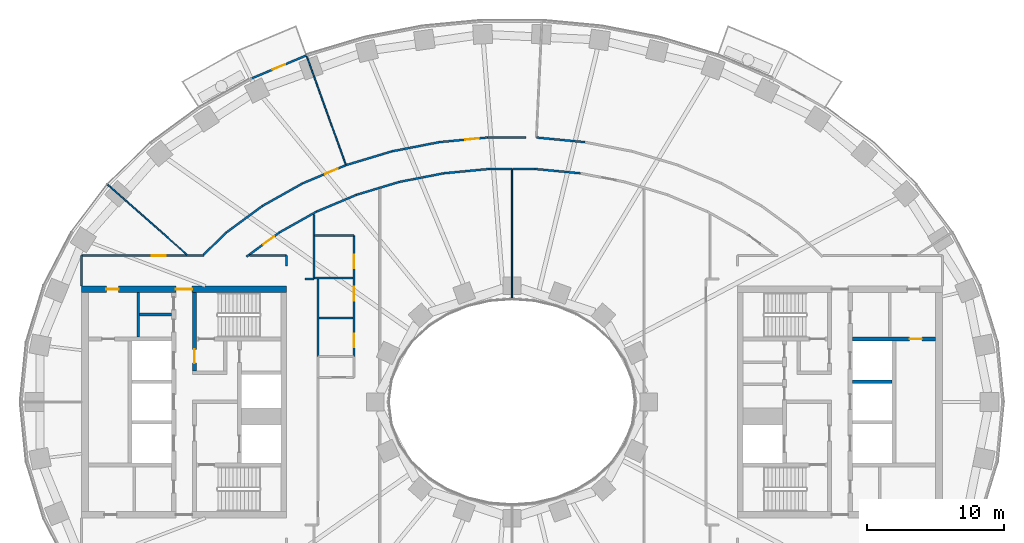
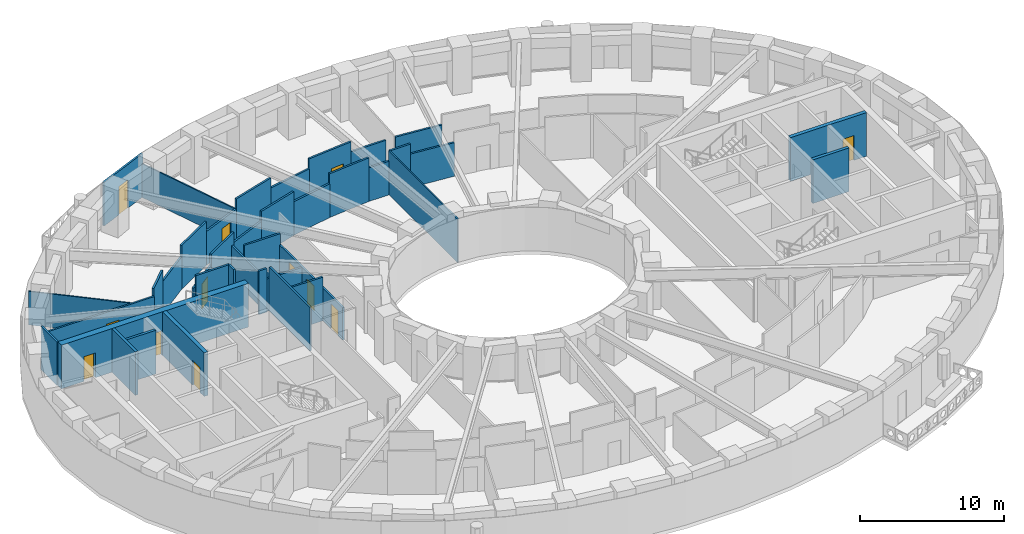
# One storey, part 6 of 16: 39 walls, 12 doors, 12 openings.
"""IFC4 building model written with IfcOpenShell, lengths in metres."""

from ifc_helpers import new_model, si_unit, direction, frame, frame_2d, origin, place, context, subcontext, project, spatial, rectangle, extrude, material, layer, layer_set, type_object, element, fill, save


model = new_model("IFC4")

# Units and contexts
model_context = context("Model", 3, precision=1e-05, world=origin(), true_north=direction((0.0, 1.0)))
body_context = subcontext(model_context, "Body", "Model", "MODEL_VIEW")
ifc_project = project(units=[si_unit("LENGTHUNIT", "METRE"), si_unit("AREAUNIT", "SQUARE_METRE"), si_unit("VOLUMEUNIT", "CUBIC_METRE"), si_unit("PLANEANGLEUNIT", "RADIAN"), si_unit("MASSUNIT", "GRAM", prefix="KILO")], contexts=[model_context])

# Site, building, storey
site_placement = place(None, origin())
site = spatial("IfcSite", under=ifc_project, at=site_placement, CompositionType="ELEMENT")
building_placement = place(site_placement, origin())
building = spatial("IfcBuilding", under=site, at=building_placement, Name="Noorbagh Ring Tower", CompositionType="ELEMENT")
storey_placement = place(building_placement, frame((0.0, 0.0, 74.5)))
storey = spatial("IfcBuildingStorey", under=building, at=storey_placement, Name="L16", CompositionType="ELEMENT", Elevation=74.5)

# Walls
ifc_material_1 = material(Name="Gypsum board on steel studs", Category="steel")
ifc_layer_1 = layer(ifc_material_1, 0.199951171875)
ifc_layer_set_1 = layer_set([ifc_layer_1], Name="Gypsum board on steel studs")
wall_type_1 = type_object("IfcWallType", Name="CORE-PARTITION-200", PredefinedType="PARTITIONING", material=ifc_layer_set_1)
wall_1_placement = place(storey_placement, frame((-27.35009765625, 4.75, 0.0), z_axis=(0.0, 0.0, 1.0), x_axis=(0.0, 1.0, 0.0)))
element("IfcWall", 1, at=wall_1_placement, inside=storey, type_object=wall_type_1, Name="Core partition W", PredefinedType="PARTITIONING", context=body_context, shape_type="SweptSolid", body=[
    extrude(rectangle(XDim=3.25, YDim=0.199951171875, at=frame_2d((1.625, 0.0))), origin(), (0.0, 0.0, 1.0), 3.699951171875),
])
wall_2_placement = place(storey_placement, frame((-24.89990234375, 6.39990234375, 0.0), z_axis=(0.0, 0.0, 1.0), x_axis=(-1.0, 0.0, 0.0)))
element("IfcWall", 2, at=wall_2_placement, inside=storey, type_object=wall_type_1, Name="Core partition W", PredefinedType="PARTITIONING", context=body_context, shape_type="SweptSolid", body=[
    extrude(rectangle(XDim=2.35009765625, YDim=0.199951171875, at=frame_2d((1.175048828125, 0.0))), origin(), (0.0, 0.0, 1.0), 3.699951171875),
])
ifc_material_2 = material(Name="Concrete C70/85", Category="concrete")
ifc_layer_2 = layer(ifc_material_2, 0.25)
ifc_layer_set_2 = layer_set([ifc_layer_2], Name="Concrete C70/85")
wall_type_2 = type_object("IfcWallType", Name="CORE-WALL-250-C70-85-EI120", PredefinedType="SHEAR", material=ifc_layer_set_2)
wall_3_placement = place(storey_placement, frame((24.89990234375, 1.47509765625, 0.0), z_axis=(0.0, 0.0, 1.0), x_axis=(1.0, 0.0, 0.0)))
element("IfcWall", 3, at=wall_3_placement, inside=storey, type_object=wall_type_2, Name="Core wall E", PredefinedType="SHEAR", context=body_context, shape_type="SweptSolid", body=[
    extrude(rectangle(XDim=2.900146484375, YDim=0.25, at=frame_2d((1.4501953125, 0.0))), origin(), (0.0, 0.0, 1.0), 3.699951171875),
])

# Wall, opening, door
ifc_material_3 = material(Name="Concrete C70/85", Category="concrete")
ifc_layer_3 = layer(ifc_material_3, 0.300048828125)
ifc_layer_set_3 = layer_set([ifc_layer_3], Name="Concrete C70/85")
wall_type_3 = type_object("IfcWallType", Name="CORE-WALL-300-C70-85-EI240", PredefinedType="SHEAR", material=ifc_layer_set_3)
wall_4_placement = place(storey_placement, frame((-23.22998046875, 2.25, 0.0), z_axis=(0.0, 0.0, 1.0), x_axis=(0.0, 1.0, 0.0)))
wall_4 = element("IfcWall", 4, at=wall_4_placement, inside=storey, type_object=wall_type_3, Name="Core wall W", PredefinedType="SHEAR", context=body_context, shape_type="SweptSolid", body=[
    extrude(rectangle(XDim=5.75, YDim=0.300048828125, at=frame_2d((2.875, 0.0))), origin(), (0.0, 0.0, 1.0), 3.699951171875),
])
opening_1_placement = place(wall_4_placement, frame((0.60009765625, 0.0, 0.0)))
opening_1 = element("IfcOpeningElement", 5, at=opening_1_placement, cuts=wall_4, Name="Opening L16-CW08", PredefinedType="OPENING", context=body_context, shape_type="SweptSolid", body=[
    extrude(rectangle(XDim=1.0, YDim=2.10009765625, at=frame_2d((0.5, 1.050048828125))), frame((0.0, 0.16015625, 0.0), z_axis=(0.0, -1.0, 0.0), x_axis=(1.0, 0.0, 0.0)), (0.0, 0.0, 1.0), 0.320068359375),
])
ifc_material_4 = material(Name="Steel door leaf", Category="steel")
door_type_1 = type_object("IfcDoorType", Name="CORE-DOOR-DVEST", OperationType="SINGLE_SWING_LEFT", PredefinedType="DOOR", material=ifc_material_4)
door_1_placement = place(opening_1_placement, origin())
door_1 = element("IfcDoor", 6, at=door_1_placement, inside=storey, type_object=door_type_1, Name="Stair vestibule door L16-CW08", OperationType="SINGLE_SWING_LEFT", OverallHeight=2.10009765625, OverallWidth=1.0, PredefinedType="DOOR", context=body_context, shape_type="SweptSolid", body=[
    extrude(rectangle(XDim=1.0, YDim=2.10009765625, at=frame_2d((0.5, 1.050048828125))), frame((0.0, 0.02490234375, 0.0), z_axis=(0.0, -1.0, 0.0), x_axis=(1.0, 0.0, 0.0)), (0.0, 0.0, 1.0), 0.050048828125),
])
fill(opening_1, door_1)

wall_5_placement = place(storey_placement, frame((24.89990234375, 4.60009765625, 0.0), z_axis=(0.0, 0.0, 1.0), x_axis=(1.0, 0.0, 0.0)))
wall_5 = element("IfcWall", 7, at=wall_5_placement, inside=storey, type_object=wall_type_3, Name="Core wall E", PredefinedType="SHEAR", context=body_context, shape_type="SweptSolid", body=[
    extrude(rectangle(XDim=6.10009765625, YDim=0.300048828125, at=frame_2d((3.050048828125, 0.0))), origin(), (0.0, 0.0, 1.0), 3.699951171875),
])
opening_2_placement = place(wall_5_placement, frame((4.199951171875, 0.0, 0.0)))
opening_2 = element("IfcOpeningElement", 8, at=opening_2_placement, cuts=wall_5, Name="Opening L16-CE18", PredefinedType="OPENING", context=body_context, shape_type="SweptSolid", body=[
    extrude(rectangle(XDim=0.89990234375, YDim=2.10009765625, at=frame_2d((0.449951171875, 1.050048828125))), frame((0.0, 0.16015625, 0.0), z_axis=(0.0, -1.0, 0.0), x_axis=(1.0, 0.0, 0.0)), (0.0, 0.0, 1.0), 0.320068359375),
])
ifc_material_5 = material(Name="Steel door leaf", Category="steel")
door_type_2 = type_object("IfcDoorType", Name="CORE-DOOR-DROOM", OperationType="SINGLE_SWING_LEFT", PredefinedType="DOOR", material=ifc_material_5)
door_2_placement = place(opening_2_placement, origin())
door_2 = element("IfcDoor", 9, at=door_2_placement, inside=storey, type_object=door_type_2, Name="Core room door L16-CE18", OperationType="SINGLE_SWING_RIGHT", OverallHeight=2.10009765625, OverallWidth=0.89990234375, PredefinedType="DOOR", context=body_context, shape_type="SweptSolid", body=[
    extrude(rectangle(XDim=0.89990234375, YDim=2.10009765625, at=frame_2d((0.449951171875, 1.050048828125))), frame((0.0, 0.02490234375, 0.0), z_axis=(0.0, -1.0, 0.0), x_axis=(1.0, 0.0, 0.0)), (0.0, 0.0, 1.0), 0.050048828125),
])
fill(opening_2, door_2)

# Wall, openings, doors
ifc_material_6 = material(Name="Concrete C70/85", Category="concrete")
ifc_layer_4 = layer(ifc_material_6, 0.5)
ifc_layer_set_4 = layer_set([ifc_layer_4], Name="Concrete C70/85")
wall_type_4 = type_object("IfcWallType", Name="CORE-WALL-500-C70-85-EI240", PredefinedType="SHEAR", material=ifc_layer_set_4)
wall_6_placement = place(storey_placement, frame((-16.5, 8.25, 0.0), z_axis=(0.0, 0.0, 1.0), x_axis=(-1.0, 0.0, 0.0)))
wall_6 = element("IfcWall", 10, at=wall_6_placement, inside=storey, type_object=wall_type_4, Name="Core wall W", PredefinedType="SHEAR", context=body_context, shape_type="SweptSolid", body=[
    extrude(rectangle(XDim=15.0, YDim=0.5, at=frame_2d((7.5, 0.0))), origin(), (0.0, 0.0, 1.0), 3.699951171875),
])
opening_3_placement = place(wall_6_placement, frame((6.89990234375, 0.0, 0.0)))
opening_3 = element("IfcOpeningElement", 11, at=opening_3_placement, cuts=wall_6, Name="Opening L16-CW09", PredefinedType="OPENING", context=body_context, shape_type="SweptSolid", body=[
    extrude(rectangle(XDim=1.199951171875, YDim=2.10009765625, at=frame_2d((0.60009765625, 1.050048828125))), frame((0.0, 0.260009765625, 0.0), z_axis=(0.0, -1.0, 0.0), x_axis=(1.0, 0.0, 0.0)), (0.0, 0.0, 1.0), 0.52001953125),
])
opening_4_placement = place(wall_6_placement, frame((12.27490234375, 0.0, 0.0)))
opening_4 = element("IfcOpeningElement", 12, at=opening_4_placement, cuts=wall_6, Name="Opening L16-CW14", PredefinedType="OPENING", context=body_context, shape_type="SweptSolid", body=[
    extrude(rectangle(XDim=0.89990234375, YDim=2.10009765625, at=frame_2d((0.449951171875, 1.050048828125))), frame((0.0, 0.260009765625, 0.0), z_axis=(0.0, -1.0, 0.0), x_axis=(1.0, 0.0, 0.0)), (0.0, 0.0, 1.0), 0.52001953125),
])
door_3_placement = place(opening_4_placement, origin())
door_3 = element("IfcDoor", 13, at=door_3_placement, inside=storey, type_object=door_type_2, Name="Core room door L16-CW14", OperationType="SINGLE_SWING_RIGHT", OverallHeight=2.10009765625, OverallWidth=0.89990234375, PredefinedType="DOOR", context=body_context, shape_type="SweptSolid", body=[
    extrude(rectangle(XDim=0.89990234375, YDim=2.10009765625, at=frame_2d((0.449951171875, 1.050048828125))), frame((0.0, 0.02490234375, 0.0), z_axis=(0.0, -1.0, 0.0), x_axis=(1.0, 0.0, 0.0)), (0.0, 0.0, 1.0), 0.050048828125),
])
fill(opening_4, door_3)
ifc_material_7 = material(Name="Steel door leaf", Category="steel")
door_type_3 = type_object("IfcDoorType", Name="CORE-DOOR-PORT", OperationType="DOUBLE_DOOR_DOUBLE_SWING", PredefinedType="DOOR", material=ifc_material_7)
door_4_placement = place(opening_3_placement, origin())
door_4 = element("IfcDoor", 14, at=door_4_placement, inside=storey, type_object=door_type_3, Name="Core entrance door L16-CW09", OperationType="DOUBLE_DOOR_DOUBLE_SWING", OverallHeight=2.10009765625, OverallWidth=1.199951171875, PredefinedType="DOOR", context=body_context, shape_type="SweptSolid", body=[
    extrude(rectangle(XDim=1.199951171875, YDim=2.10009765625, at=frame_2d((0.60009765625, 1.050048828125))), frame((0.0, 0.02490234375, 0.0), z_axis=(0.0, -1.0, 0.0), x_axis=(1.0, 0.0, 0.0)), (0.0, 0.0, 1.0), 0.050048828125),
])
fill(opening_3, door_4)

# Wall
ifc_material_8 = material(Name="Gypsum board on steel studs", Category="steel")
ifc_layer_5 = layer(ifc_material_8, 0.14990234375)
ifc_layer_set_5 = layer_set([ifc_layer_5], Name="Gypsum board on steel studs")
wall_type_5 = type_object("IfcWallType", Name="CORRIDOR PARTITION 150 EI 30", PredefinedType="PARTITIONING", material=ifc_layer_set_5)
wall_7_placement = place(storey_placement, frame((-31.5, 8.5, 0.0), z_axis=(0.0, 0.0, 1.0), x_axis=(0.0, 1.0, 0.0)))
element("IfcWall", 15, at=wall_7_placement, inside=storey, type_object=wall_type_5, Name="L16/wall/P04", PredefinedType="PARTITIONING", context=body_context, shape_type="SweptSolid", body=[
    extrude(rectangle(XDim=2.199951171875, YDim=0.14990234375, at=frame_2d((1.10009765625, 0.0))), origin(), (0.0, 0.0, 1.0), 3.699951171875),
])

# Wall, opening, door
wall_8_placement = place(storey_placement, frame((-31.5, 10.699951171875, 0.0), z_axis=(0.0, 0.0, 1.0), x_axis=(1.0, 0.0, 0.0)))
wall_8 = element("IfcWall", 16, at=wall_8_placement, inside=storey, type_object=wall_type_5, Name="L16/wall/P05", PredefinedType="PARTITIONING", context=body_context, shape_type="SweptSolid", body=[
    extrude(rectangle(XDim=8.9609375, YDim=0.14990234375, at=frame_2d((4.48046875, 0.0))), origin(), (0.0, 0.0, 1.0), 3.10009765625),
])
opening_5_placement = place(wall_8_placement, frame((5.153076171875, 0.0, 0.0)))
opening_5 = element("IfcOpeningElement", 17, at=opening_5_placement, cuts=wall_8, Name="Opening D1", PredefinedType="OPENING", context=body_context, shape_type="SweptSolid", body=[
    extrude(rectangle(XDim=1.0, YDim=2.10009765625, at=frame_2d((0.5, 1.050048828125))), frame((0.0, 0.0849609375, 0.0), z_axis=(0.0, -1.0, 0.0), x_axis=(1.0, 0.0, 0.0)), (0.0, 0.0, 1.0), 0.169921875),
])
ifc_material_9 = material(Name="Timber, painted", Category="wood")
door_type_4 = type_object("IfcDoorType", Name="DOOR 1000 X 2100 FD30", OperationType="SINGLE_SWING_LEFT", PredefinedType="DOOR", material=ifc_material_9)
door_5_placement = place(opening_5_placement, origin())
door_5 = element("IfcDoor", 18, at=door_5_placement, inside=storey, type_object=door_type_4, Name="L16-D07", OperationType="SINGLE_SWING_LEFT", OverallHeight=2.10009765625, OverallWidth=1.0, PredefinedType="DOOR", context=body_context, shape_type="SweptSolid", body=[
    extrude(rectangle(XDim=1.0, YDim=2.10009765625, at=frame_2d((0.5, 1.050048828125))), frame((0.0, 0.02490234375, 0.0), z_axis=(0.0, -1.0, 0.0), x_axis=(1.0, 0.0, 0.0)), (0.0, 0.0, 1.0), 0.050048828125),
])
fill(opening_5, door_5)

# Walls
wall_9_placement = place(storey_placement, frame((-22.570068359375, 10.77490234375, 0.0), z_axis=(0.0, 0.0, 1.0), x_axis=(0.717045582263, 0.697026278527, 0.0)))
element("IfcWall", 19, at=wall_9_placement, inside=storey, type_object=wall_type_5, Name="L16/wall/P09", PredefinedType="PARTITIONING", context=body_context, shape_type="SweptSolid", body=[
    extrude(rectangle(XDim=2.341552734375, YDim=0.14990234375, at=frame_2d((1.1708984375, 0.0))), origin(), (0.0, 0.0, 1.0), 3.699951171875),
])
wall_10_placement = place(storey_placement, frame((-20.89111328125, 12.406982421875, 0.0), z_axis=(0.0, 0.0, 1.0), x_axis=(0.805303685339, 0.592862525701, 0.0)))
element("IfcWall", 20, at=wall_10_placement, inside=storey, type_object=wall_type_5, Name="L16/wall/P11", PredefinedType="PARTITIONING", context=body_context, shape_type="SweptSolid", body=[
    extrude(rectangle(XDim=3.267333984375, YDim=0.14990234375, at=frame_2d((1.6337890625, 0.0))), origin(), (0.0, 0.0, 1.0), 2.75),
])

# Wall, opening, door
wall_11_placement = place(storey_placement, frame((-19.431884765625, 10.625, 0.0), z_axis=(0.0, 0.0, 1.0), x_axis=(0.805306738654, 0.592858378265, 0.0)))
wall_11 = element("IfcWall", 21, at=wall_11_placement, inside=storey, type_object=wall_type_5, Name="L16/wall/P14", PredefinedType="PARTITIONING", context=body_context, shape_type="SweptSolid", body=[
    extrude(rectangle(XDim=3.00732421875, YDim=0.14990234375, at=frame_2d((1.503662109375, 0.0))), origin(), (0.0, 0.0, 1.0), 2.75),
])
opening_6_placement = place(wall_11_placement, frame((1.526611328125, 0.0, 0.0)))
opening_6 = element("IfcOpeningElement", 22, at=opening_6_placement, cuts=wall_11, Name="Opening D1", PredefinedType="OPENING", context=body_context, shape_type="SweptSolid", body=[
    extrude(rectangle(XDim=1.0, YDim=2.10009765625, at=frame_2d((0.5, 1.050048828125))), frame((0.0, 0.0849609375, 0.0), z_axis=(0.0, -1.0, 0.0), x_axis=(1.0, 0.0, 0.0)), (0.0, 0.0, 1.0), 0.169921875),
])
door_6_placement = place(opening_6_placement, origin())
door_6 = element("IfcDoor", 23, at=door_6_placement, inside=storey, type_object=door_type_4, Name="L16-D16", OperationType="SINGLE_SWING_RIGHT", OverallHeight=2.10009765625, OverallWidth=1.0, PredefinedType="DOOR", context=body_context, shape_type="SweptSolid", body=[
    extrude(rectangle(XDim=1.0, YDim=2.10009765625, at=frame_2d((0.5, 1.050048828125))), frame((0.0, 0.02490234375, 0.0), z_axis=(0.0, -1.0, 0.0), x_axis=(1.0, 0.0, 0.0)), (0.0, 0.0, 1.0), 0.050048828125),
])
fill(opening_6, door_6)

# Walls
wall_12_placement = place(storey_placement, frame((-19.202880859375, 10.699951171875, 0.0), z_axis=(0.0, 0.0, 1.0), x_axis=(1.0, 0.0, 0.0)))
element("IfcWall", 24, at=wall_12_placement, inside=storey, type_object=wall_type_5, Name="L16/wall/P15", PredefinedType="PARTITIONING", context=body_context, shape_type="SweptSolid", body=[
    extrude(rectangle(XDim=2.702880859375, YDim=0.14990234375, at=frame_2d((1.3515625, 0.0))), origin(), (0.0, 0.0, 1.0), 3.699951171875),
])
wall_13_placement = place(storey_placement, frame((-18.260009765625, 14.343994140625, 0.0), z_axis=(0.0, 0.0, 1.0), x_axis=(0.871958798398, 0.489579262118, 0.0)))
element("IfcWall", 25, at=wall_13_placement, inside=storey, type_object=wall_type_5, Name="L16/wall/P17", PredefinedType="PARTITIONING", context=body_context, shape_type="SweptSolid", body=[
    extrude(rectangle(XDim=3.365966796875, YDim=0.14990234375, at=frame_2d((1.68310546875, 0.0))), origin(), (0.0, 0.0, 1.0), 3.699951171875),
])
wall_14_placement = place(storey_placement, frame((-17.010009765625, 12.407958984375, 0.0), z_axis=(0.0, 0.0, 1.0), x_axis=(0.871977874087, 0.489545286059, 0.0)))
element("IfcWall", 26, at=wall_14_placement, inside=storey, type_object=wall_type_5, Name="L16/wall/P19", PredefinedType="PARTITIONING", context=body_context, shape_type="SweptSolid", body=[
    extrude(rectangle(XDim=3.093017578125, YDim=0.14990234375, at=frame_2d((1.54638671875, 0.0))), origin(), (0.0, 0.0, 1.0), 3.699951171875),
])
wall_15_placement = place(storey_placement, frame((-16.5, 9.964111328125, 0.0), z_axis=(0.0, 0.0, 1.0), x_axis=(0.0, 1.0, 0.0)))
element("IfcWall", 27, at=wall_15_placement, inside=storey, type_object=wall_type_5, Name="L16/wall/P21", PredefinedType="PARTITIONING", context=body_context, shape_type="SweptSolid", body=[
    extrude(rectangle(XDim=0.73583984375, YDim=0.14990234375, at=frame_2d((0.367919921875, 0.0))), origin(), (0.0, 0.0, 1.0), 3.699951171875),
])

# Wall, opening, door
wall_16_placement = place(storey_placement, frame((-15.324951171875, 15.991943359375, 0.0), z_axis=(0.0, 0.0, 1.0), x_axis=(0.921891448612, 0.387448263612, 0.0)))
wall_16 = element("IfcWall", 28, at=wall_16_placement, inside=storey, type_object=wall_type_5, Name="L16/wall/P23", PredefinedType="PARTITIONING", context=body_context, shape_type="SweptSolid", body=[
    extrude(rectangle(XDim=3.443115234375, YDim=0.14990234375, at=frame_2d((1.7216796875, 0.0))), origin(), (0.0, 0.0, 1.0), 2.85009765625),
])
opening_7_placement = place(wall_16_placement, frame((1.79296875, 0.0, 0.0)))
opening_7 = element("IfcOpeningElement", 29, at=opening_7_placement, cuts=wall_16, Name="Opening D1", PredefinedType="OPENING", context=body_context, shape_type="SweptSolid", body=[
    extrude(rectangle(XDim=1.0, YDim=2.10009765625, at=frame_2d((0.5, 1.050048828125))), frame((0.0, 0.0849609375, 0.0), z_axis=(0.0, -1.0, 0.0), x_axis=(1.0, 0.0, 0.0)), (0.0, 0.0, 1.0), 0.169921875),
])
door_7_placement = place(opening_7_placement, origin())
door_7 = element("IfcDoor", 30, at=door_7_placement, inside=storey, type_object=door_type_4, Name="L16-D09", OperationType="SINGLE_SWING_LEFT", OverallHeight=2.10009765625, OverallWidth=1.0, PredefinedType="DOOR", context=body_context, shape_type="SweptSolid", body=[
    extrude(rectangle(XDim=1.0, YDim=2.10009765625, at=frame_2d((0.5, 1.050048828125))), frame((0.0, 0.02490234375, 0.0), z_axis=(0.0, -1.0, 0.0), x_axis=(1.0, 0.0, 0.0)), (0.0, 0.0, 1.0), 0.050048828125),
])
fill(opening_7, door_7)

# Walls
wall_17_placement = place(storey_placement, frame((-15.134033203125, 9.0, 0.0), z_axis=(0.0, 0.0, 1.0), x_axis=(1.0, 0.0, 0.0)))
element("IfcWall", 31, at=wall_17_placement, inside=storey, type_object=wall_type_5, Name="L16/wall/P25", PredefinedType="PARTITIONING", context=body_context, shape_type="SweptSolid", body=[
    extrude(rectangle(XDim=0.636962890625, YDim=0.14990234375, at=frame_2d((0.318359375, 0.0))), origin(), (0.0, 0.0, 1.0), 3.699951171875),
])
wall_18_placement = place(storey_placement, frame((-14.4970703125, 9.0, 0.0), z_axis=(0.0, 0.0, 1.0), x_axis=(0.0, 1.0, 0.0)))
element("IfcWall", 32, at=wall_18_placement, inside=storey, type_object=wall_type_5, Name="L16/wall/P29", PredefinedType="PARTITIONING", context=body_context, shape_type="SweptSolid", body=[
    extrude(rectangle(XDim=4.72900390625, YDim=0.14990234375, at=frame_2d((2.364501953125, 0.0))), origin(), (0.0, 0.0, 1.0), 2.75),
])
wall_19_placement = place(storey_placement, frame((-14.465087890625, 9.06201171875, 0.0), z_axis=(0.0, 0.0, 1.0), x_axis=(1.0, 0.0, 0.0)))
element("IfcWall", 33, at=wall_19_placement, inside=storey, type_object=wall_type_5, Name="L16/wall/P30", PredefinedType="PARTITIONING", context=body_context, shape_type="SweptSolid", body=[
    extrude(rectangle(XDim=2.8251953125, YDim=0.14990234375, at=frame_2d((1.41259765625, 0.0))), origin(), (0.0, 0.0, 1.0), 2.75),
])
wall_20_placement = place(storey_placement, frame((-14.4609375, 12.181884765625, 0.0), z_axis=(0.0, 0.0, 1.0), x_axis=(1.0, 0.0, 0.0)))
element("IfcWall", 34, at=wall_20_placement, inside=storey, type_object=wall_type_5, Name="L16/wall/P31", PredefinedType="PARTITIONING", context=body_context, shape_type="SweptSolid", body=[
    extrude(rectangle(XDim=2.89599609375, YDim=0.14990234375, at=frame_2d((1.447998046875, 0.0))), origin(), (0.0, 0.0, 1.0), 3.699951171875),
])
wall_21_placement = place(storey_placement, frame((-14.31298828125, 13.922119140625, 0.0), z_axis=(0.0, 0.0, 1.0), x_axis=(0.921799502591, 0.387666966638, 0.0)))
element("IfcWall", 35, at=wall_21_placement, inside=storey, type_object=wall_type_5, Name="L16/wall/P33", PredefinedType="PARTITIONING", context=body_context, shape_type="SweptSolid", body=[
    extrude(rectangle(XDim=3.1904296875, YDim=0.14990234375, at=frame_2d((1.59521484375, 0.0))), origin(), (0.0, 0.0, 1.0), 2.85009765625),
])
wall_22_placement = place(storey_placement, frame((-14.199951171875, 3.342041015625, 0.0), z_axis=(0.0, 0.0, 1.0), x_axis=(0.0, 1.0, 0.0)))
element("IfcWall", 36, at=wall_22_placement, inside=storey, type_object=wall_type_5, Name="L16/wall/P37", PredefinedType="PARTITIONING", context=body_context, shape_type="SweptSolid", body=[
    extrude(rectangle(XDim=5.657958984375, YDim=0.14990234375, at=frame_2d((2.8291015625, 0.0))), origin(), (0.0, 0.0, 1.0), 3.699951171875),
])
wall_23_placement = place(storey_placement, frame((-14.125, 6.14990234375, 0.0), z_axis=(0.0, 0.0, 1.0), x_axis=(1.0, 0.0, 0.0)))
element("IfcWall", 37, at=wall_23_placement, inside=storey, type_object=wall_type_5, Name="L16/wall/P39", PredefinedType="PARTITIONING", context=body_context, shape_type="SweptSolid", body=[
    extrude(rectangle(XDim=2.485107421875, YDim=0.14990234375, at=frame_2d((1.24267578125, 0.0))), origin(), (0.0, 0.0, 1.0), 3.699951171875),
])
wall_24_placement = place(storey_placement, frame((-12.15087890625, 17.325927734375, 0.0), z_axis=(0.0, 0.0, 1.0), x_axis=(0.957528149021, 0.288339806186, 0.0)))
element("IfcWall", 38, at=wall_24_placement, inside=storey, type_object=wall_type_5, Name="L16/wall/P41", PredefinedType="PARTITIONING", context=body_context, shape_type="SweptSolid", body=[
    extrude(rectangle(XDim=3.49951171875, YDim=0.14990234375, at=frame_2d((1.749755859375, 0.0))), origin(), (0.0, 0.0, 1.0), 3.699951171875),
])

# Wall, openings, doors
wall_25_placement = place(storey_placement, frame((-11.56494140625, 3.342041015625, 0.0), z_axis=(0.0, 0.0, 1.0), x_axis=(0.0, 1.0, 0.0)))
wall_25 = element("IfcWall", 39, at=wall_25_placement, inside=storey, type_object=wall_type_5, Name="L16/wall/P43", PredefinedType="PARTITIONING", context=body_context, shape_type="SweptSolid", body=[
    extrude(rectangle(XDim=8.83984375, YDim=0.14990234375, at=frame_2d((4.419921875, 0.0))), origin(), (0.0, 0.0, 1.0), 2.75),
])
opening_8_placement = place(wall_25_placement, frame((6.43994140625, 0.0, 0.0)))
opening_8 = element("IfcOpeningElement", 40, at=opening_8_placement, cuts=wall_25, Name="Opening D3", PredefinedType="OPENING", context=body_context, shape_type="SweptSolid", body=[
    extrude(rectangle(XDim=1.0, YDim=2.10009765625, at=frame_2d((0.5, 1.050048828125))), frame((0.0, 0.0849609375, 0.0), z_axis=(0.0, -1.0, 0.0), x_axis=(1.0, 0.0, 0.0)), (0.0, 0.0, 1.0), 0.169921875),
])
opening_9_placement = place(wall_25_placement, frame((4.070068359375, 0.0, 0.0)))
opening_9 = element("IfcOpeningElement", 41, at=opening_9_placement, cuts=wall_25, Name="Opening D3", PredefinedType="OPENING", context=body_context, shape_type="SweptSolid", body=[
    extrude(rectangle(XDim=1.0, YDim=2.10009765625, at=frame_2d((0.5, 1.050048828125))), frame((0.0, 0.0849609375, 0.0), z_axis=(0.0, -1.0, 0.0), x_axis=(1.0, 0.0, 0.0)), (0.0, 0.0, 1.0), 0.169921875),
])
opening_10_placement = place(wall_25_placement, frame((0.657958984375, 0.0, 0.0)))
opening_10 = element("IfcOpeningElement", 42, at=opening_10_placement, cuts=wall_25, Name="Opening D3", PredefinedType="OPENING", context=body_context, shape_type="SweptSolid", body=[
    extrude(rectangle(XDim=1.0, YDim=2.10009765625, at=frame_2d((0.5, 1.050048828125))), frame((0.0, 0.0849609375, 0.0), z_axis=(0.0, -1.0, 0.0), x_axis=(1.0, 0.0, 0.0)), (0.0, 0.0, 1.0), 0.169921875),
])
ifc_material_10 = material(Name="Timber, painted", Category="wood")
door_type_5 = type_object("IfcDoorType", Name="DOOR 1000 X 2100 WC", OperationType="SINGLE_SWING_LEFT", PredefinedType="DOOR", material=ifc_material_10)
door_8_placement = place(opening_8_placement, origin())
door_8 = element("IfcDoor", 43, at=door_8_placement, inside=storey, type_object=door_type_5, Name="L16-D02", OperationType="SINGLE_SWING_RIGHT", OverallHeight=2.10009765625, OverallWidth=1.0, PredefinedType="DOOR", context=body_context, shape_type="SweptSolid", body=[
    extrude(rectangle(XDim=1.0, YDim=2.10009765625, at=frame_2d((0.5, 1.050048828125))), frame((0.0, 0.02490234375, 0.0), z_axis=(0.0, -1.0, 0.0), x_axis=(1.0, 0.0, 0.0)), (0.0, 0.0, 1.0), 0.050048828125),
])
fill(opening_8, door_8)
door_9_placement = place(opening_9_placement, origin())
door_9 = element("IfcDoor", 44, at=door_9_placement, inside=storey, type_object=door_type_5, Name="L16-D03", OperationType="SINGLE_SWING_LEFT", OverallHeight=2.10009765625, OverallWidth=1.0, PredefinedType="DOOR", context=body_context, shape_type="SweptSolid", body=[
    extrude(rectangle(XDim=1.0, YDim=2.10009765625, at=frame_2d((0.5, 1.050048828125))), frame((0.0, 0.02490234375, 0.0), z_axis=(0.0, -1.0, 0.0), x_axis=(1.0, 0.0, 0.0)), (0.0, 0.0, 1.0), 0.050048828125),
])
fill(opening_9, door_9)
door_10_placement = place(opening_10_placement, origin())
door_10 = element("IfcDoor", 45, at=door_10_placement, inside=storey, type_object=door_type_5, Name="L16-D04", OperationType="SINGLE_SWING_RIGHT", OverallHeight=2.10009765625, OverallWidth=1.0, PredefinedType="DOOR", context=body_context, shape_type="SweptSolid", body=[
    extrude(rectangle(XDim=1.0, YDim=2.10009765625, at=frame_2d((0.5, 1.050048828125))), frame((0.0, 0.02490234375, 0.0), z_axis=(0.0, -1.0, 0.0), x_axis=(1.0, 0.0, 0.0)), (0.0, 0.0, 1.0), 0.050048828125),
])
fill(opening_10, door_10)

# Walls
wall_26_placement = place(storey_placement, frame((-11.3720703125, 15.158935546875, 0.0), z_axis=(0.0, 0.0, 1.0), x_axis=(0.95757464185, 0.28818536619, 0.0)))
element("IfcWall", 46, at=wall_26_placement, inside=storey, type_object=wall_type_5, Name="L16/wall/P45", PredefinedType="PARTITIONING", context=body_context, shape_type="SweptSolid", body=[
    extrude(rectangle(XDim=3.262451171875, YDim=0.14990234375, at=frame_2d((1.63134765625, 0.0))), origin(), (0.0, 0.0, 1.0), 3.699951171875),
])
wall_27_placement = place(storey_placement, frame((-8.800048828125, 18.3349609375, 0.0), z_axis=(0.0, 0.0, 1.0), x_axis=(0.981620418387, 0.190843795306, 0.0)))
element("IfcWall", 47, at=wall_27_placement, inside=storey, type_object=wall_type_5, Name="L16/wall/P48", PredefinedType="PARTITIONING", context=body_context, shape_type="SweptSolid", body=[
    extrude(rectangle(XDim=3.537109375, YDim=0.14990234375, at=frame_2d((1.7685546875, 0.0))), origin(), (0.0, 0.0, 1.0), 2.85009765625),
])
wall_28_placement = place(storey_placement, frame((-8.248046875, 16.09912109375, 0.0), z_axis=(0.0, 0.0, 1.0), x_axis=(0.981621529558, 0.190838079815, 0.0)))
element("IfcWall", 48, at=wall_28_placement, inside=storey, type_object=wall_type_5, Name="L16/wall/P50", PredefinedType="PARTITIONING", context=body_context, shape_type="SweptSolid", body=[
    extrude(rectangle(XDim=3.310791015625, YDim=0.14990234375, at=frame_2d((1.6552734375, 0.0))), origin(), (0.0, 0.0, 1.0), 2.85009765625),
])

# Wall, opening, door
wall_29_placement = place(storey_placement, frame((-5.327880859375, 19.010009765625, 0.0), z_axis=(0.0, 0.0, 1.0), x_axis=(0.995485604231, 0.094912653366, 0.0)))
wall_29 = element("IfcWall", 49, at=wall_29_placement, inside=storey, type_object=wall_type_5, Name="L16/wall/P52", PredefinedType="PARTITIONING", context=body_context, shape_type="SweptSolid", body=[
    extrude(rectangle(XDim=3.56005859375, YDim=0.14990234375, at=frame_2d((1.780029296875, 0.0))), origin(), (0.0, 0.0, 1.0), 3.699951171875),
])
opening_11_placement = place(wall_29_placement, frame((1.91015625, 0.0, 0.0)))
opening_11 = element("IfcOpeningElement", 50, at=opening_11_placement, cuts=wall_29, Name="Opening D1", PredefinedType="OPENING", context=body_context, shape_type="SweptSolid", body=[
    extrude(rectangle(XDim=1.0, YDim=2.10009765625, at=frame_2d((0.5, 1.050048828125))), frame((0.0, 0.0849609375, 0.0), z_axis=(0.0, -1.0, 0.0), x_axis=(1.0, 0.0, 0.0)), (0.0, 0.0, 1.0), 0.169921875),
])
door_11_placement = place(opening_11_placement, origin())
door_11 = element("IfcDoor", 51, at=door_11_placement, inside=storey, type_object=door_type_4, Name="L16-D11", OperationType="SINGLE_SWING_LEFT", OverallHeight=2.10009765625, OverallWidth=1.0, PredefinedType="DOOR", context=body_context, shape_type="SweptSolid", body=[
    extrude(rectangle(XDim=1.0, YDim=2.10009765625, at=frame_2d((0.5, 1.050048828125))), frame((0.0, 0.02490234375, 0.0), z_axis=(0.0, -1.0, 0.0), x_axis=(1.0, 0.0, 0.0)), (0.0, 0.0, 1.0), 0.050048828125),
])
fill(opening_11, door_11)

# Walls
wall_30_placement = place(storey_placement, frame((-4.998046875, 16.73095703125, 0.0), z_axis=(0.0, 0.0, 1.0), x_axis=(0.995479356205, 0.094978162593, 0.0)))
element("IfcWall", 52, at=wall_30_placement, inside=storey, type_object=wall_type_5, Name="L16/wall/P54", PredefinedType="PARTITIONING", context=body_context, shape_type="SweptSolid", body=[
    extrude(rectangle(XDim=3.339111328125, YDim=0.14990234375, at=frame_2d((1.66943359375, 0.0))), origin(), (0.0, 0.0, 1.0), 3.699951171875),
])
wall_31_placement = place(storey_placement, frame((-1.783935546875, 19.347900390625, 0.0), z_axis=(0.0, 0.0, 1.0), x_axis=(1.0, 0.0, 0.0)))
element("IfcWall", 53, at=wall_31_placement, inside=storey, type_object=wall_type_5, Name="L16/wall/P56", PredefinedType="PARTITIONING", context=body_context, shape_type="SweptSolid", body=[
    extrude(rectangle(XDim=2.821044921875, YDim=0.14990234375, at=frame_2d((1.41064453125, 0.0))), origin(), (0.0, 0.0, 1.0), 2.85009765625),
])
wall_32_placement = place(storey_placement, frame((-1.674072265625, 17.048095703125, 0.0), z_axis=(0.0, 0.0, 1.0), x_axis=(1.0, 0.0, 0.0)))
element("IfcWall", 54, at=wall_32_placement, inside=storey, type_object=wall_type_5, Name="L16/wall/P58", PredefinedType="PARTITIONING", context=body_context, shape_type="SweptSolid", body=[
    extrude(rectangle(XDim=1.674072265625, YDim=0.14990234375, at=frame_2d((0.8369140625, 0.0))), origin(), (0.0, 0.0, 1.0), 2.85009765625),
])
wall_33_placement = place(storey_placement, frame((0.02001953125, 17.048095703125, 0.0), z_axis=(0.0, 0.0, 1.0), x_axis=(1.0, 0.0, 0.0)))
element("IfcWall", 55, at=wall_33_placement, inside=storey, type_object=wall_type_5, Name="L16/wall/P62", PredefinedType="PARTITIONING", context=body_context, shape_type="SweptSolid", body=[
    extrude(rectangle(XDim=1.654052734375, YDim=0.14990234375, at=frame_2d((0.8271484375, 0.0))), origin(), (0.0, 0.0, 1.0), 3.699951171875),
])
wall_34_placement = place(storey_placement, frame((1.674072265625, 17.048095703125, 0.0), z_axis=(0.0, 0.0, 1.0), x_axis=(0.995479356205, -0.094978162593, 0.0)))
element("IfcWall", 56, at=wall_34_placement, inside=storey, type_object=wall_type_5, Name="L16/wall/P64", PredefinedType="PARTITIONING", context=body_context, shape_type="SweptSolid", body=[
    extrude(rectangle(XDim=3.339111328125, YDim=0.14990234375, at=frame_2d((1.66943359375, 0.0))), origin(), (0.0, 0.0, 1.0), 2.85009765625),
])
wall_35_placement = place(storey_placement, frame((1.803955078125, 19.345947265625, 0.0), z_axis=(0.0, 0.0, 1.0), x_axis=(0.99548678928, -0.094900223226, 0.0)))
element("IfcWall", 57, at=wall_35_placement, inside=storey, type_object=wall_type_5, Name="L16/wall/P68", PredefinedType="PARTITIONING", context=body_context, shape_type="SweptSolid", body=[
    extrude(rectangle(XDim=3.539794921875, YDim=0.14990234375, at=frame_2d((1.77001953125, 0.0))), origin(), (0.0, 0.0, 1.0), 2.85009765625),
])

# Wall, opening, door
ifc_material_11 = material(Name="Insulated aluminium clad panel", Category="aluminium")
ifc_layer_6 = layer(ifc_material_11, 0.14990234375)
ifc_layer_set_6 = layer_set([ifc_layer_6], Name="Insulated aluminium clad panel")
wall_type_6 = type_object("IfcWallType", Name="ENV-WALL-DOOR", PredefinedType="STANDARD", material=ifc_layer_set_6)
wall_36_placement = place(storey_placement, frame((-15.017822265625, 25.368896484375, 0.0), z_axis=(0.0, 0.0, 1.0), x_axis=(-0.921816985161, -0.387625393736, 0.0)))
wall_36 = element("IfcWall", 58, at=wall_36_placement, inside=storey, type_object=wall_type_6, Name="Balcony door wall chord 16", PredefinedType="STANDARD", context=body_context, shape_type="SweptSolid", body=[
    extrude(rectangle(XDim=4.42578125, YDim=0.14990234375, at=frame_2d((2.212890625, 0.0))), origin(), (0.0, 0.0, 1.0), 3.699951171875),
])
opening_12_placement = place(wall_36_placement, frame((1.712890625, 0.0, 0.0)))
opening_12 = element("IfcOpeningElement", 59, at=opening_12_placement, cuts=wall_36, Name="Opening D-BL", PredefinedType="OPENING", context=body_context, shape_type="SweptSolid", body=[
    extrude(rectangle(XDim=1.0, YDim=2.39990234375, at=frame_2d((0.5, 1.199951171875))), frame((0.0, 0.0849609375, 0.0), z_axis=(0.0, -1.0, 0.0), x_axis=(1.0, 0.0, 0.0)), (0.0, 0.0, 1.0), 0.169921875),
])
ifc_material_12 = material(Name="Aluminium and glass", Category="aluminium")
door_type_6 = type_object("IfcDoorType", Name="ENV-DOOR-BALCONY", OperationType="SINGLE_SWING_LEFT", PredefinedType="DOOR", material=ifc_material_12)
door_12_placement = place(opening_12_placement, origin())
door_12 = element("IfcDoor", 60, at=door_12_placement, inside=storey, type_object=door_type_6, Name="Balcony door chord 16", OperationType="SINGLE_SWING_LEFT", OverallHeight=2.39990234375, OverallWidth=1.0, PredefinedType="DOOR", context=body_context, shape_type="SweptSolid", body=[
    extrude(rectangle(XDim=1.0, YDim=2.39990234375, at=frame_2d((0.5, 1.199951171875))), frame((0.0, 0.02490234375, 0.0), z_axis=(0.0, -1.0, 0.0), x_axis=(1.0, 0.0, 0.0)), (0.0, 0.0, 1.0), 0.050048828125),
])
fill(opening_12, door_12)

# Walls
ifc_material_13 = material(Name="Gypsum board on steel studs", Category="steel")
ifc_layer_7 = layer(ifc_material_13, 0.10009765625)
ifc_layer_set_7 = layer_set([ifc_layer_7], Name="Gypsum board on steel studs")
wall_type_7 = type_object("IfcWallType", Name="PARTITION 100 GYPSUM", PredefinedType="PARTITIONING", material=ifc_layer_set_7)
wall_37_placement = place(storey_placement, frame((-29.569091796875, 15.89501953125, 0.0), z_axis=(0.0, 0.0, 1.0), x_axis=(0.748985701008, -0.662586160198, 0.0)))
element("IfcWall", 61, at=wall_37_placement, inside=storey, type_object=wall_type_7, Name="L16/wall/P07", PredefinedType="PARTITIONING", context=body_context, shape_type="SweptSolid", body=[
    extrude(rectangle(XDim=7.72265625, YDim=0.10009765625, at=frame_2d((3.861328125, 0.0))), origin(), (0.0, 0.0, 1.0), 2.85009765625),
])
wall_38_placement = place(storey_placement, frame((-15.048095703125, 25.383056640625, 0.0), z_axis=(0.0, 0.0, 1.0), x_axis=(0.338300183564, -0.941038248851, 0.0)))
element("IfcWall", 62, at=wall_38_placement, inside=storey, type_object=wall_type_7, Name="L16/wall/P27", PredefinedType="PARTITIONING", context=body_context, shape_type="SweptSolid", body=[
    extrude(rectangle(XDim=8.5576171875, YDim=0.10009765625, at=frame_2d((4.27880859375, 0.0))), origin(), (0.0, 0.0, 1.0), 2.85009765625),
])
wall_39_placement = place(storey_placement, frame((0.0, 7.50390625, 0.0), z_axis=(0.0, 0.0, 1.0), x_axis=(0.0, 1.0, 0.0)))
element("IfcWall", 63, at=wall_39_placement, inside=storey, type_object=wall_type_7, Name="L16/wall/P61", PredefinedType="PARTITIONING", context=body_context, shape_type="SweptSolid", body=[
    extrude(rectangle(XDim=9.5400390625, YDim=0.10009765625, at=frame_2d((4.77001953125, 0.0))), origin(), (0.0, 0.0, 1.0), 3.699951171875),
])

save(model, "model.ifc")
